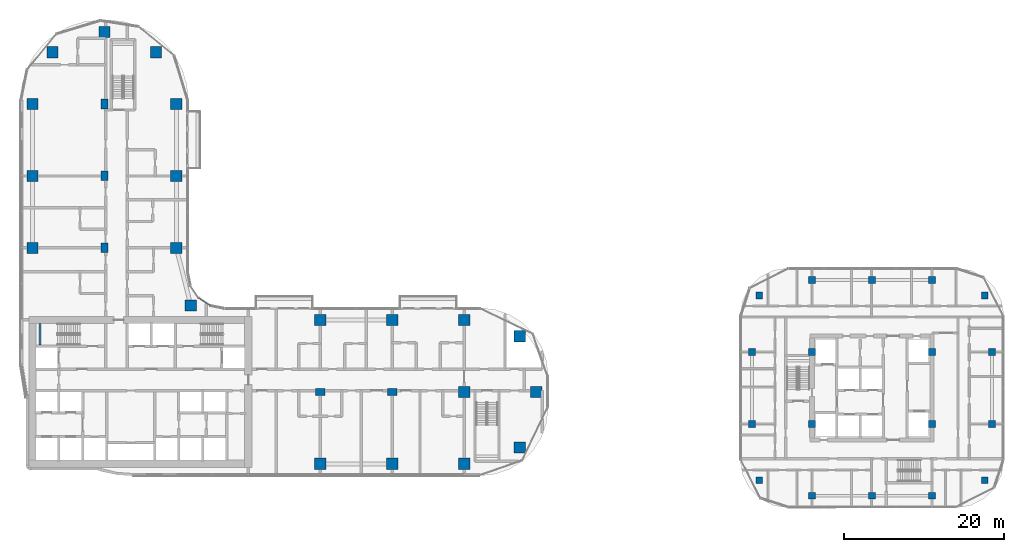
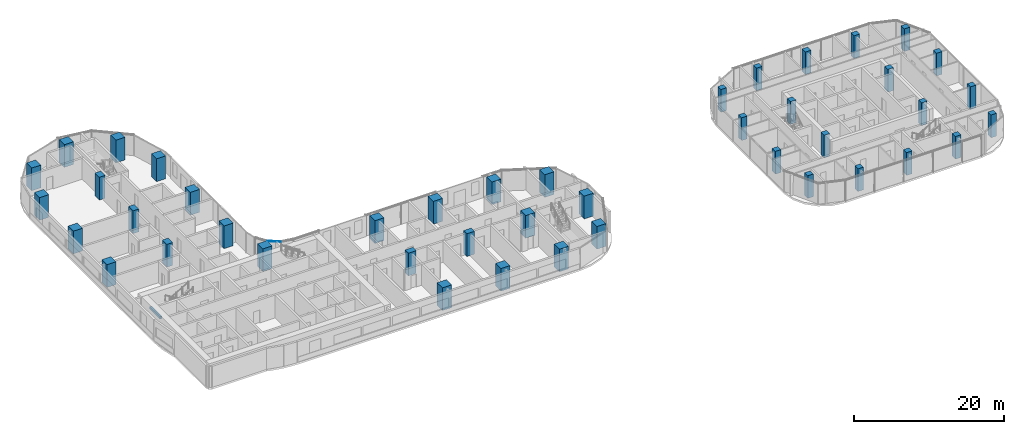
# One storey, part 1 of 31: 43 columns, 1 beam, 1 member, 1 element without a shape of its own.
"""IFC4 building model written with IfcOpenShell, lengths in metres."""

from ifc_helpers import new_model, si_unit, direction, frame, origin, origin_2d, place, context, subcontext, project, spatial, rectangle, extrude, material, material_profile, profile_set, type_object, element, aggregate, save


model = new_model("IFC4")

# Units and contexts
model_context = context("Model", 3, precision=1e-05, world=origin(), true_north=direction((0.0, 1.0)))
body_context = subcontext(model_context, "Body", "Model", "MODEL_VIEW")
ifc_project = project(units=[si_unit("LENGTHUNIT", "METRE"), si_unit("AREAUNIT", "SQUARE_METRE"), si_unit("VOLUMEUNIT", "CUBIC_METRE"), si_unit("PLANEANGLEUNIT", "RADIAN"), si_unit("MASSUNIT", "GRAM", prefix="KILO")], contexts=[model_context])

# Site, building, storey
site_placement = place(None, origin())
site = spatial("IfcSite", under=ifc_project, at=site_placement, CompositionType="ELEMENT")
building_placement = place(site_placement, origin())
building = spatial("IfcBuilding", under=site, at=building_placement, Name="Ogive Portal Towers", CompositionType="ELEMENT")
storey_placement = place(building_placement, frame((0.0, 0.0, 74.199951171875)))
storey = spatial("IfcBuildingStorey", under=building, at=storey_placement, Name="L17", CompositionType="ELEMENT", Elevation=74.199951171875)

# Columns
ifc_material_1 = material(Name="Concrete C60/75", Category="concrete")
ifc_material_profile_1 = material_profile(ifc_material_1, rectangle(XDim=1.199951171875, YDim=0.89990234375, at=origin_2d()), Name="RC 1200x900")
ifc_profile_set_1 = profile_set([ifc_material_profile_1], Name="Concrete C60/75")
column_type_1 = type_object("IfcColumnType", Name="COLUMN RC 1200x900", PredefinedType="COLUMN", material=ifc_profile_set_1)
for number, where, z_axis, x_axis, name in (
    (1, (67.5, 30.5, 0.0), (0.0, 0.0, 1.0), (1.0, 0.0, 0.0), "Column 5/B L17"),
    (2, (76.5, 30.5, 0.0), (0.0, 0.0, 1.0), (1.0, 0.0, 0.0), "Column 6/B L17"),
    (3, (40.5, 48.5, 0.0), (0.0, 0.0, 1.0), (0.0, 1.0, 0.0), "Column 2/D L17"),
    (4, (40.5, 57.5, 0.0), (0.0, 0.0, 1.0), (0.0, 1.0, 0.0), "Column 2/E L17"),
    (5, (40.5, 66.5, 0.0), (0.0, 0.0, 1.0), (0.0, 1.0, 0.0), "Column 2/F L17"),
):
    element("IfcColumn", number, at=place(storey_placement, frame(where, z_axis=z_axis, x_axis=x_axis)), inside=storey, type_object=column_type_1, Name=name, PredefinedType="COLUMN", context=body_context, shape_type="SweptSolid", body=[
        extrude(rectangle(XDim=1.199951171875, YDim=0.89990234375, at=origin_2d()), origin(), (0.0, 0.0, 1.0), 3.699951171875),
    ])
ifc_material_profile_2 = material_profile(ifc_material_1, rectangle(XDim=1.39990234375, YDim=1.39990234375, at=origin_2d()), Name="RC 1400x1400")
ifc_profile_set_2 = profile_set([ifc_material_profile_2], Name="Concrete C60/75")
column_type_2 = type_object("IfcColumnType", Name="COLUMN RC 1400x1400", PredefinedType="COLUMN", material=ifc_profile_set_2)
for number, where, z_axis, x_axis, name in (
    (6, (67.5, 21.5, 0.0), (0.0, 0.0, 1.0), (1.0, 0.0, 0.0), "Column 5/A L17"),
    (7, (76.5, 21.5, 0.0), (0.0, 0.0, 1.0), (1.0, 0.0, 0.0), "Column 6/A L17"),
    (8, (85.5, 21.5, 0.0), (0.0, 0.0, 1.0), (1.0, 0.0, 0.0), "Column 7/A L17"),
    (9, (92.449951171875, 23.550048828125, 0.0), (0.0, 0.0, 1.0), (1.0, 0.0, 0.0), "Column L17"),
    (10, (85.5, 30.5, 0.0), (0.0, 0.0, 1.0), (1.0, 0.0, 0.0), "Column 7/B L17"),
    (11, (94.5, 30.5, 0.0), (0.0, 0.0, 1.0), (1.0, 0.0, 0.0), "Column 8/B L17"),
    (12, (92.449951171875, 37.449951171875, 0.0), (0.0, 0.0, 1.0), (1.0, 0.0, 0.0), "Column L17"),
    (13, (67.5, 39.5, 0.0), (0.0, 0.0, 1.0), (1.0, 0.0, 0.0), "Column 5/C L17"),
    (14, (76.5, 39.5, 0.0), (0.0, 0.0, 1.0), (1.0, 0.0, 0.0), "Column 6/C L17"),
    (15, (85.5, 39.5, 0.0), (0.0, 0.0, 1.0), (1.0, 0.0, 0.0), "Column 7/C L17"),
    (16, (51.31005859375, 41.31005859375, 0.0), (0.0, 0.0, 1.0), (1.0, 0.0, 0.0), "Column L17"),
    (17, (31.5, 48.5, 0.0), (0.0, 0.0, 1.0), (1.0, 0.0, 0.0), "Column 1/D L17"),
    (18, (49.5, 48.5, 0.0), (0.0, 0.0, 1.0), (1.0, 0.0, 0.0), "Column 3/D L17"),
    (19, (31.5, 57.5, 0.0), (0.0, 0.0, 1.0), (1.0, 0.0, 0.0), "Column 1/E L17"),
    (20, (49.5, 57.5, 0.0), (0.0, 0.0, 1.0), (1.0, 0.0, 0.0), "Column 3/E L17"),
    (21, (31.5, 66.5, 0.0), (0.0, 0.0, 1.0), (1.0, 0.0, 0.0), "Column 1/F L17"),
    (22, (49.5, 66.5, 0.0), (0.0, 0.0, 1.0), (1.0, 0.0, 0.0), "Column 3/F L17"),
    (23, (34.027099609375, 72.972900390625, 0.0), (0.0, 0.0, 1.0), (1.0, 0.0, 0.0), "Column L17"),
    (24, (46.972900390625, 72.972900390625, 0.0), (0.0, 0.0, 1.0), (1.0, 0.0, 0.0), "Column L17"),
    (25, (40.5, 75.5, 0.0), (0.0, 0.0, 1.0), (1.0, 0.0, 0.0), "Column 2/G L17"),
):
    element("IfcColumn", number, at=place(storey_placement, frame(where, z_axis=z_axis, x_axis=x_axis)), inside=storey, type_object=column_type_2, Name=name, PredefinedType="COLUMN", context=body_context, shape_type="SweptSolid", body=[
        extrude(rectangle(XDim=1.39990234375, YDim=1.39990234375, at=origin_2d()), origin(), (0.0, 0.0, 1.0), 3.699951171875),
    ])
ifc_material_2 = material(Name="Concrete C50/60", Category="concrete")
ifc_material_profile_3 = material_profile(ifc_material_2, rectangle(XDim=0.85009765625, YDim=0.85009765625, at=origin_2d()), Name="RC 850x850")
ifc_profile_set_3 = profile_set([ifc_material_profile_3], Name="Concrete C50/60")
column_type_3 = type_object("IfcColumnType", Name="COLUMN RC 850x850", PredefinedType="COLUMN", material=ifc_profile_set_3)
for number, where, z_axis, x_axis, name in (
    (26, (129.0, 17.5, 0.0), (0.0, 0.0, 1.0), (1.0, 0.0, 0.0), "Column 12/H L17"),
    (27, (136.5, 17.5, 0.0), (0.0, 0.0, 1.0), (1.0, 0.0, 0.0), "Column 13/H L17"),
    (28, (144.0, 17.5, 0.0), (0.0, 0.0, 1.0), (1.0, 0.0, 0.0), "Column 14/H L17"),
    (29, (122.40087890625, 19.44189453125, 0.0), (0.0, 0.0, 1.0), (1.0, 0.0, 0.0), "Column L17"),
    (30, (150.59912109375, 19.44189453125, 0.0), (0.0, 0.0, 1.0), (1.0, 0.0, 0.0), "Column L17"),
    (31, (121.5, 26.5, 0.0), (0.0, 0.0, 1.0), (1.0, 0.0, 0.0), "Column 11/J L17"),
    (32, (129.0, 26.5, 0.0), (0.0, 0.0, 1.0), (1.0, 0.0, 0.0), "Column 12/J L17"),
    (33, (144.0, 26.5, 0.0), (0.0, 0.0, 1.0), (1.0, 0.0, 0.0), "Column 14/J L17"),
    (34, (151.5, 26.5, 0.0), (0.0, 0.0, 1.0), (1.0, 0.0, 0.0), "Column 15/J L17"),
    (35, (121.5, 35.5, 0.0), (0.0, 0.0, 1.0), (1.0, 0.0, 0.0), "Column 11/K L17"),
    (36, (129.0, 35.5, 0.0), (0.0, 0.0, 1.0), (1.0, 0.0, 0.0), "Column 12/K L17"),
    (37, (144.0, 35.5, 0.0), (0.0, 0.0, 1.0), (1.0, 0.0, 0.0), "Column 14/K L17"),
    (38, (151.5, 35.5, 0.0), (0.0, 0.0, 1.0), (1.0, 0.0, 0.0), "Column 15/K L17"),
    (39, (122.40087890625, 42.55810546875, 0.0), (0.0, 0.0, 1.0), (1.0, 0.0, 0.0), "Column L17"),
    (40, (150.59912109375, 42.55810546875, 0.0), (0.0, 0.0, 1.0), (1.0, 0.0, 0.0), "Column L17"),
    (41, (129.0, 44.5, 0.0), (0.0, 0.0, 1.0), (1.0, 0.0, 0.0), "Column 12/L L17"),
    (42, (136.5, 44.5, 0.0), (0.0, 0.0, 1.0), (1.0, 0.0, 0.0), "Column 13/L L17"),
    (43, (144.0, 44.5, 0.0), (0.0, 0.0, 1.0), (1.0, 0.0, 0.0), "Column 14/L L17"),
):
    element("IfcColumn", number, at=place(storey_placement, frame(where, z_axis=z_axis, x_axis=x_axis)), inside=storey, type_object=column_type_3, Name=name, PredefinedType="COLUMN", context=body_context, shape_type="SweptSolid", body=[
        extrude(rectangle(XDim=0.85009765625, YDim=0.85009765625, at=origin_2d()), origin(), (0.0, 0.0, 1.0), 3.699951171875),
    ])

# Beam
ifc_material_3 = material(Name="Concrete C40/50", Category="concrete")
ifc_material_profile_4 = material_profile(ifc_material_3, rectangle(XDim=0.300048828125, YDim=0.39990234375, at=origin_2d()), Name="RC 300x400")
ifc_profile_set_4 = profile_set([ifc_material_profile_4], Name="Concrete C40/50")
beam_type = type_object("IfcBeamType", Name="BEAM RC 300x400", PredefinedType="BEAM", material=ifc_profile_set_4)
beam_placement = place(storey_placement, frame((32.449951171875, 36.35009765625, 1.449951171875), z_axis=(0.0, 1.0, 0.0), x_axis=(-1.0, 0.0, 0.0)))
element("IfcBeam", 44, at=beam_placement, inside=storey, type_object=beam_type, Name="Landing beam L17", PredefinedType="BEAM", context=body_context, shape_type="SweptSolid", body=[
    extrude(rectangle(XDim=0.300048828125, YDim=0.39990234375, at=origin_2d()), origin(), (0.0, 0.0, 1.0), 2.699951171875),
])

# Curtain wall, member
ifc_material_4 = material(Name="Glass, clear low-iron insulated glazing", Category="glass")
curtain_wall_type = type_object("IfcCurtainWallType", Name="CW FRONT RIBBON 4500", PredefinedType="NOTDEFINED", material=ifc_material_4)
curtain_wall_placement = place(storey_placement, origin())
curtain_wall = element("IfcCurtainWall", 45, at=curtain_wall_placement, inside=storey, type_object=curtain_wall_type, Name="A:L17:f13:cwa", PredefinedType="NOTDEFINED")
ifc_material_5 = material(Name="Aluminium 6063 anodised", Category="aluminium")
ifc_material_profile_5 = material_profile(ifc_material_5, rectangle(XDim=0.1201171875, YDim=0.06005859375, at=origin_2d()), Name="AL 120x60")
ifc_profile_set_5 = profile_set([ifc_material_profile_5], Name="Aluminium 6063 anodised")
member_type = type_object("IfcMemberType", Name="CW TRANSOM 60x120", PredefinedType="USERDEFINED", material=ifc_profile_set_5)
member_placement = place(storey_placement, frame((53.746826171875, 41.26708984375, 3.3701171875), z_axis=(-0.831503657605, 0.555519277244, 0.0), x_axis=(-0.555519277244, -0.831503657605, 0.0)))
member = element("IfcMember", 46, at=member_placement, type_object=member_type, Name="transom", ObjectType="TRANSOM", PredefinedType="USERDEFINED", context=body_context, shape_type="SweptSolid", body=[
    extrude(rectangle(XDim=0.1201171875, YDim=0.06005859375, at=origin_2d()), origin(), (0.0, 0.0, 1.0), 1.787841796875),
])
aggregate(curtain_wall, [member])

save(model, "model.ifc")
